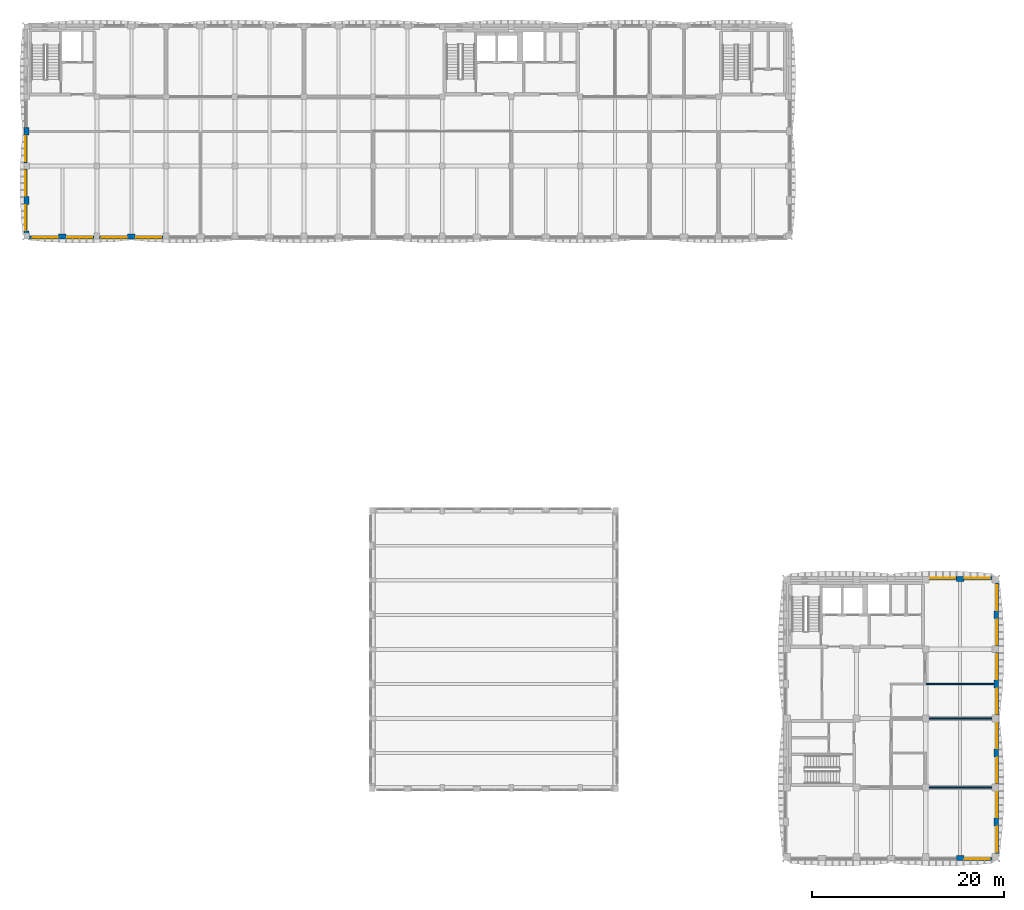
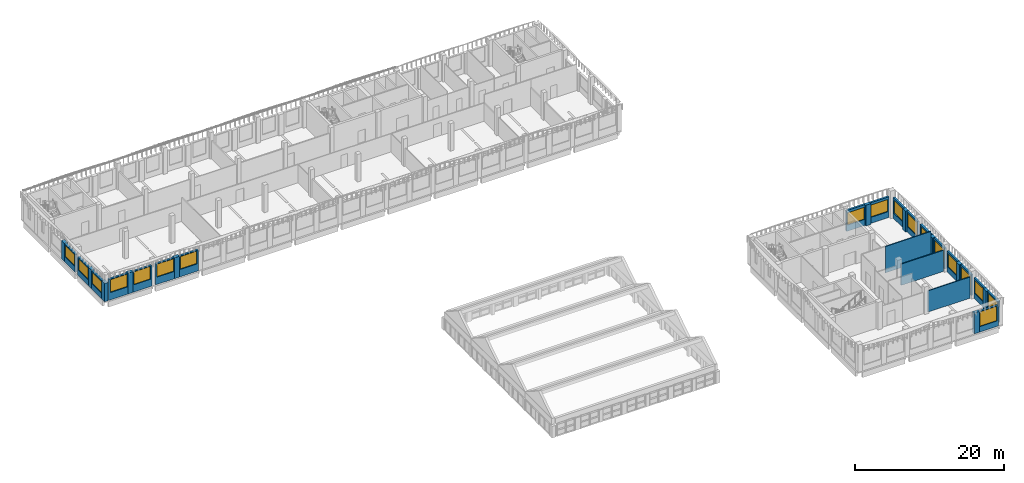
# One storey, part 12 of 38: 32 walls, 18 windows, 18 openings.
"""IFC4 building model written with IfcOpenShell, lengths in metres."""

from ifc_helpers import new_model, si_unit, direction, frame, frame_2d, origin, place, context, subcontext, project, spatial, rectangle, extrude, material, layer, layer_set, type_object, element, fill, save


model = new_model("IFC4")

# Units and contexts
model_context = context("Model", 3, precision=1e-05, world=origin(), true_north=direction((0.0, 1.0)))
body_context = subcontext(model_context, "Body", "Model", "MODEL_VIEW")
ifc_project = project(units=[si_unit("LENGTHUNIT", "METRE"), si_unit("AREAUNIT", "SQUARE_METRE"), si_unit("VOLUMEUNIT", "CUBIC_METRE"), si_unit("PLANEANGLEUNIT", "RADIAN"), si_unit("MASSUNIT", "GRAM", prefix="KILO")], contexts=[model_context])

# Site, building, storey
site_placement = place(None, origin())
site = spatial("IfcSite", under=ifc_project, at=site_placement, CompositionType="ELEMENT")
building_placement = place(site_placement, origin())
building = spatial("IfcBuilding", under=site, at=building_placement, Name="Ussher Court Research Institute", CompositionType="ELEMENT")
storey_placement = place(building_placement, frame((0.0, 0.0, 23.39990234375)))
storey = spatial("IfcBuildingStorey", under=building, at=storey_placement, Name="L05", CompositionType="ELEMENT", Elevation=23.39990234375)

# Wall, opening, window
ifc_material_1 = material(Name="Blockwork with cream render", Category="masonry")
ifc_layer_1 = layer(ifc_material_1, 0.300048828125)
ifc_layer_set_1 = layer_set([ifc_layer_1], Name="Blockwork with cream render")
wall_type_1 = type_object("IfcWallType", Name="External wall 300 cream render", PredefinedType="SOLIDWALL", material=ifc_layer_set_1)
wall_1_placement = place(storey_placement, frame((96.949951171875, 33.050048828125, 0.0), z_axis=(0.0, 0.0, 1.0), x_axis=(1.0, 0.0, 0.0)))
wall_1 = element("IfcWall", 1, at=wall_1_placement, inside=storey, type_object=wall_type_1, Name="External wall EW1 L05", PredefinedType="SOLIDWALL", context=body_context, shape_type="SweptSolid", body=[
    extrude(rectangle(XDim=2.85009765625, YDim=0.300048828125, at=frame_2d((1.425048828125, 0.0))), origin(), (0.0, 0.0, 1.0), 3.400146484375),
])
opening_1_placement = place(wall_1_placement, frame((0.14990234375, 0.0, 1.0)))
opening_1 = element("IfcOpeningElement", 2, at=opening_1_placement, cuts=wall_1, Name="Opening W15", PredefinedType="OPENING", context=body_context, shape_type="SweptSolid", body=[
    extrude(rectangle(XDim=2.60009765625, YDim=2.0, at=frame_2d((1.300048828125, 1.0))), frame((0.0, 0.16015625, 0.0), z_axis=(0.0, -1.0, 0.0), x_axis=(1.0, 0.0, 0.0)), (0.0, 0.0, 1.0), 0.320068359375),
])
ifc_material_2 = material(Name="Bronze anodised aluminium with double glazing", Category="aluminium")
window_type_1 = type_object("IfcWindowType", Name="Service side laboratory window 2600x2000", PartitioningType="DOUBLE_PANEL_VERTICAL", PredefinedType="WINDOW", material=ifc_material_2)
window_1_placement = place(opening_1_placement, origin())
window_1 = element("IfcWindow", 3, at=window_1_placement, inside=storey, type_object=window_type_1, Name="Window W15 L05", OverallHeight=2.0, OverallWidth=2.60009765625, PartitioningType="SINGLE_PANEL", PredefinedType="WINDOW", context=body_context, shape_type="SweptSolid", body=[
    extrude(rectangle(XDim=2.60009765625, YDim=2.0, at=frame_2d((1.300048828125, 1.0))), frame((0.0, 0.030029296875, 0.0), z_axis=(0.0, -1.0, 0.0), x_axis=(1.0, 0.0, 0.0)), (0.0, 0.0, 1.0), 0.06005859375),
])
fill(opening_1, window_1)

wall_2_placement = place(storey_placement, frame((100.60009765625, 33.050048828125, 0.0), z_axis=(0.0, 0.0, 1.0), x_axis=(1.0, 0.0, 0.0)))
wall_2 = element("IfcWall", 4, at=wall_2_placement, inside=storey, type_object=wall_type_1, Name="External wall EW1 L05", PredefinedType="SOLIDWALL", context=body_context, shape_type="SweptSolid", body=[
    extrude(rectangle(XDim=2.89990234375, YDim=0.300048828125, at=frame_2d((1.449951171875, 0.0))), origin(), (0.0, 0.0, 1.0), 3.400146484375),
])
opening_2_placement = place(wall_2_placement, frame((0.10009765625, 0.0, 1.0)))
opening_2 = element("IfcOpeningElement", 5, at=opening_2_placement, cuts=wall_2, Name="Opening W15", PredefinedType="OPENING", context=body_context, shape_type="SweptSolid", body=[
    extrude(rectangle(XDim=2.60009765625, YDim=2.0, at=frame_2d((1.300048828125, 1.0))), frame((0.0, 0.16015625, 0.0), z_axis=(0.0, -1.0, 0.0), x_axis=(1.0, 0.0, 0.0)), (0.0, 0.0, 1.0), 0.320068359375),
])
window_2_placement = place(opening_2_placement, origin())
window_2 = element("IfcWindow", 6, at=window_2_placement, inside=storey, type_object=window_type_1, Name="Window W15 L05", OverallHeight=2.0, OverallWidth=2.60009765625, PartitioningType="SINGLE_PANEL", PredefinedType="WINDOW", context=body_context, shape_type="SweptSolid", body=[
    extrude(rectangle(XDim=2.60009765625, YDim=2.0, at=frame_2d((1.300048828125, 1.0))), frame((0.0, 0.030029296875, 0.0), z_axis=(0.0, -1.0, 0.0), x_axis=(1.0, 0.0, 0.0)), (0.0, 0.0, 1.0), 0.06005859375),
])
fill(opening_2, window_2)

wall_3_placement = place(storey_placement, frame((104.050048828125, 32.5, 0.0), z_axis=(0.0, 0.0, 1.0), x_axis=(0.0, -1.0, 0.0)))
wall_3 = element("IfcWall", 7, at=wall_3_placement, inside=storey, type_object=wall_type_1, Name="External wall EW1 L05", PredefinedType="SOLIDWALL", context=body_context, shape_type="SweptSolid", body=[
    extrude(rectangle(XDim=2.89990234375, YDim=0.300048828125, at=frame_2d((1.449951171875, 0.0))), origin(), (0.0, 0.0, 1.0), 3.400146484375),
])
opening_3_placement = place(wall_3_placement, frame((0.199951171875, 0.0, 0.89990234375)))
opening_3 = element("IfcOpeningElement", 8, at=opening_3_placement, cuts=wall_3, Name="Opening W13", PredefinedType="OPENING", context=body_context, shape_type="SweptSolid", body=[
    extrude(rectangle(XDim=2.60009765625, YDim=2.199951171875, at=frame_2d((1.300048828125, 1.10009765625))), frame((0.0, 0.16015625, 0.0), z_axis=(0.0, -1.0, 0.0), x_axis=(1.0, 0.0, 0.0)), (0.0, 0.0, 1.0), 0.320068359375),
])
ifc_material_3 = material(Name="Bronze anodised aluminium with double glazing", Category="aluminium")
window_type_2 = type_object("IfcWindowType", Name="East laboratory window 2600x2200", PartitioningType="DOUBLE_PANEL_VERTICAL", PredefinedType="WINDOW", material=ifc_material_3)
window_3_placement = place(opening_3_placement, origin())
window_3 = element("IfcWindow", 9, at=window_3_placement, inside=storey, type_object=window_type_2, Name="Window W13 L05", OverallHeight=2.199951171875, OverallWidth=2.60009765625, PartitioningType="SINGLE_PANEL", PredefinedType="WINDOW", context=body_context, shape_type="SweptSolid", body=[
    extrude(rectangle(XDim=2.60009765625, YDim=2.199951171875, at=frame_2d((1.300048828125, 1.10009765625))), frame((0.0, 0.030029296875, 0.0), z_axis=(0.0, -1.0, 0.0), x_axis=(1.0, 0.0, 0.0)), (0.0, 0.0, 1.0), 0.06005859375),
])
fill(opening_3, window_3)

wall_4_placement = place(storey_placement, frame((104.050048828125, 28.800048828125, 0.0), z_axis=(0.0, 0.0, 1.0), x_axis=(0.0, -1.0, 0.0)))
wall_4 = element("IfcWall", 10, at=wall_4_placement, inside=storey, type_object=wall_type_1, Name="External wall EW1 L05", PredefinedType="SOLIDWALL", context=body_context, shape_type="SweptSolid", body=[
    extrude(rectangle(XDim=2.85009765625, YDim=0.300048828125, at=frame_2d((1.425048828125, 0.0))), origin(), (0.0, 0.0, 1.0), 3.400146484375),
])
opening_4_placement = place(wall_4_placement, frame((0.10009765625, 0.0, 0.89990234375)))
opening_4 = element("IfcOpeningElement", 11, at=opening_4_placement, cuts=wall_4, Name="Opening W13", PredefinedType="OPENING", context=body_context, shape_type="SweptSolid", body=[
    extrude(rectangle(XDim=2.60009765625, YDim=2.199951171875, at=frame_2d((1.300048828125, 1.10009765625))), frame((0.0, 0.16015625, 0.0), z_axis=(0.0, -1.0, 0.0), x_axis=(1.0, 0.0, 0.0)), (0.0, 0.0, 1.0), 0.320068359375),
])
window_4_placement = place(opening_4_placement, origin())
window_4 = element("IfcWindow", 12, at=window_4_placement, inside=storey, type_object=window_type_2, Name="Window W13 L05", OverallHeight=2.199951171875, OverallWidth=2.60009765625, PartitioningType="SINGLE_PANEL", PredefinedType="WINDOW", context=body_context, shape_type="SweptSolid", body=[
    extrude(rectangle(XDim=2.60009765625, YDim=2.199951171875, at=frame_2d((1.300048828125, 1.10009765625))), frame((0.0, 0.030029296875, 0.0), z_axis=(0.0, -1.0, 0.0), x_axis=(1.0, 0.0, 0.0)), (0.0, 0.0, 1.0), 0.06005859375),
])
fill(opening_4, window_4)

wall_5_placement = place(storey_placement, frame((104.050048828125, 25.25, 0.0), z_axis=(0.0, 0.0, 1.0), x_axis=(0.0, -1.0, 0.0)))
wall_5 = element("IfcWall", 13, at=wall_5_placement, inside=storey, type_object=wall_type_1, Name="External wall EW1 L05", PredefinedType="SOLIDWALL", context=body_context, shape_type="SweptSolid", body=[
    extrude(rectangle(XDim=2.85009765625, YDim=0.300048828125, at=frame_2d((1.425048828125, 0.0))), origin(), (0.0, 0.0, 1.0), 3.400146484375),
])
opening_5_placement = place(wall_5_placement, frame((0.14990234375, 0.0, 0.89990234375)))
opening_5 = element("IfcOpeningElement", 14, at=opening_5_placement, cuts=wall_5, Name="Opening W13", PredefinedType="OPENING", context=body_context, shape_type="SweptSolid", body=[
    extrude(rectangle(XDim=2.60009765625, YDim=2.199951171875, at=frame_2d((1.300048828125, 1.10009765625))), frame((0.0, 0.16015625, 0.0), z_axis=(0.0, -1.0, 0.0), x_axis=(1.0, 0.0, 0.0)), (0.0, 0.0, 1.0), 0.320068359375),
])
window_5_placement = place(opening_5_placement, origin())
window_5 = element("IfcWindow", 15, at=window_5_placement, inside=storey, type_object=window_type_2, Name="Window W13 L05", OverallHeight=2.199951171875, OverallWidth=2.60009765625, PartitioningType="SINGLE_PANEL", PredefinedType="WINDOW", context=body_context, shape_type="SweptSolid", body=[
    extrude(rectangle(XDim=2.60009765625, YDim=2.199951171875, at=frame_2d((1.300048828125, 1.10009765625))), frame((0.0, 0.030029296875, 0.0), z_axis=(0.0, -1.0, 0.0), x_axis=(1.0, 0.0, 0.0)), (0.0, 0.0, 1.0), 0.06005859375),
])
fill(opening_5, window_5)

wall_6_placement = place(storey_placement, frame((104.050048828125, 21.60009765625, 0.0), z_axis=(0.0, 0.0, 1.0), x_axis=(0.0, -1.0, 0.0)))
wall_6 = element("IfcWall", 16, at=wall_6_placement, inside=storey, type_object=wall_type_1, Name="External wall EW1 L05", PredefinedType="SOLIDWALL", context=body_context, shape_type="SweptSolid", body=[
    extrude(rectangle(XDim=2.85009765625, YDim=0.300048828125, at=frame_2d((1.425048828125, 0.0))), origin(), (0.0, 0.0, 1.0), 3.400146484375),
])
opening_6_placement = place(wall_6_placement, frame((0.10009765625, 0.0, 0.89990234375)))
opening_6 = element("IfcOpeningElement", 17, at=opening_6_placement, cuts=wall_6, Name="Opening W13", PredefinedType="OPENING", context=body_context, shape_type="SweptSolid", body=[
    extrude(rectangle(XDim=2.60009765625, YDim=2.199951171875, at=frame_2d((1.300048828125, 1.10009765625))), frame((0.0, 0.16015625, 0.0), z_axis=(0.0, -1.0, 0.0), x_axis=(1.0, 0.0, 0.0)), (0.0, 0.0, 1.0), 0.320068359375),
])
window_6_placement = place(opening_6_placement, origin())
window_6 = element("IfcWindow", 18, at=window_6_placement, inside=storey, type_object=window_type_2, Name="Window W13 L05", OverallHeight=2.199951171875, OverallWidth=2.60009765625, PartitioningType="SINGLE_PANEL", PredefinedType="WINDOW", context=body_context, shape_type="SweptSolid", body=[
    extrude(rectangle(XDim=2.60009765625, YDim=2.199951171875, at=frame_2d((1.300048828125, 1.10009765625))), frame((0.0, 0.030029296875, 0.0), z_axis=(0.0, -1.0, 0.0), x_axis=(1.0, 0.0, 0.0)), (0.0, 0.0, 1.0), 0.06005859375),
])
fill(opening_6, window_6)

wall_7_placement = place(storey_placement, frame((104.050048828125, 18.050048828125, 0.0), z_axis=(0.0, 0.0, 1.0), x_axis=(0.0, -1.0, 0.0)))
wall_7 = element("IfcWall", 19, at=wall_7_placement, inside=storey, type_object=wall_type_1, Name="External wall EW1 L05", PredefinedType="SOLIDWALL", context=body_context, shape_type="SweptSolid", body=[
    extrude(rectangle(XDim=2.85009765625, YDim=0.300048828125, at=frame_2d((1.425048828125, 0.0))), origin(), (0.0, 0.0, 1.0), 3.400146484375),
])
opening_7_placement = place(wall_7_placement, frame((0.14990234375, 0.0, 0.89990234375)))
opening_7 = element("IfcOpeningElement", 20, at=opening_7_placement, cuts=wall_7, Name="Opening W13", PredefinedType="OPENING", context=body_context, shape_type="SweptSolid", body=[
    extrude(rectangle(XDim=2.60009765625, YDim=2.199951171875, at=frame_2d((1.300048828125, 1.10009765625))), frame((0.0, 0.16015625, 0.0), z_axis=(0.0, -1.0, 0.0), x_axis=(1.0, 0.0, 0.0)), (0.0, 0.0, 1.0), 0.320068359375),
])
window_7_placement = place(opening_7_placement, origin())
window_7 = element("IfcWindow", 21, at=window_7_placement, inside=storey, type_object=window_type_2, Name="Window W13 L05", OverallHeight=2.199951171875, OverallWidth=2.60009765625, PartitioningType="SINGLE_PANEL", PredefinedType="WINDOW", context=body_context, shape_type="SweptSolid", body=[
    extrude(rectangle(XDim=2.60009765625, YDim=2.199951171875, at=frame_2d((1.300048828125, 1.10009765625))), frame((0.0, 0.030029296875, 0.0), z_axis=(0.0, -1.0, 0.0), x_axis=(1.0, 0.0, 0.0)), (0.0, 0.0, 1.0), 0.06005859375),
])
fill(opening_7, window_7)

wall_8_placement = place(storey_placement, frame((104.050048828125, 14.39990234375, 0.0), z_axis=(0.0, 0.0, 1.0), x_axis=(0.0, -1.0, 0.0)))
wall_8 = element("IfcWall", 22, at=wall_8_placement, inside=storey, type_object=wall_type_1, Name="External wall EW1 L05", PredefinedType="SOLIDWALL", context=body_context, shape_type="SweptSolid", body=[
    extrude(rectangle(XDim=2.849853515625, YDim=0.300048828125, at=frame_2d((1.4248046875, 0.0))), origin(), (0.0, 0.0, 1.0), 3.400146484375),
])
opening_8_placement = place(wall_8_placement, frame((0.10009765625, 0.0, 0.89990234375)))
opening_8 = element("IfcOpeningElement", 23, at=opening_8_placement, cuts=wall_8, Name="Opening W13", PredefinedType="OPENING", context=body_context, shape_type="SweptSolid", body=[
    extrude(rectangle(XDim=2.60009765625, YDim=2.199951171875, at=frame_2d((1.300048828125, 1.10009765625))), frame((0.0, 0.16015625, 0.0), z_axis=(0.0, -1.0, 0.0), x_axis=(1.0, 0.0, 0.0)), (0.0, 0.0, 1.0), 0.320068359375),
])
window_8_placement = place(opening_8_placement, origin())
window_8 = element("IfcWindow", 24, at=window_8_placement, inside=storey, type_object=window_type_2, Name="Window W13 L05", OverallHeight=2.199951171875, OverallWidth=2.60009765625, PartitioningType="SINGLE_PANEL", PredefinedType="WINDOW", context=body_context, shape_type="SweptSolid", body=[
    extrude(rectangle(XDim=2.60009765625, YDim=2.199951171875, at=frame_2d((1.300048828125, 1.10009765625))), frame((0.0, 0.030029296875, 0.0), z_axis=(0.0, -1.0, 0.0), x_axis=(1.0, 0.0, 0.0)), (0.0, 0.0, 1.0), 0.06005859375),
])
fill(opening_8, window_8)

wall_9_placement = place(storey_placement, frame((104.050048828125, 10.85009765625, 0.0), z_axis=(0.0, 0.0, 1.0), x_axis=(0.0, -1.0, 0.0)))
wall_9 = element("IfcWall", 25, at=wall_9_placement, inside=storey, type_object=wall_type_1, Name="External wall EW1 L05", PredefinedType="SOLIDWALL", context=body_context, shape_type="SweptSolid", body=[
    extrude(rectangle(XDim=2.85009765625, YDim=0.300048828125, at=frame_2d((1.425048828125, 0.0))), origin(), (0.0, 0.0, 1.0), 3.400146484375),
])
opening_9_placement = place(wall_9_placement, frame((0.14990234375, 0.0, 0.89990234375)))
opening_9 = element("IfcOpeningElement", 26, at=opening_9_placement, cuts=wall_9, Name="Opening W13", PredefinedType="OPENING", context=body_context, shape_type="SweptSolid", body=[
    extrude(rectangle(XDim=2.60009765625, YDim=2.199951171875, at=frame_2d((1.300048828125, 1.10009765625))), frame((0.0, 0.16015625, 0.0), z_axis=(0.0, -1.0, 0.0), x_axis=(1.0, 0.0, 0.0)), (0.0, 0.0, 1.0), 0.320068359375),
])
window_9_placement = place(opening_9_placement, origin())
window_9 = element("IfcWindow", 27, at=window_9_placement, inside=storey, type_object=window_type_2, Name="Window W13 L05", OverallHeight=2.199951171875, OverallWidth=2.60009765625, PartitioningType="SINGLE_PANEL", PredefinedType="WINDOW", context=body_context, shape_type="SweptSolid", body=[
    extrude(rectangle(XDim=2.60009765625, YDim=2.199951171875, at=frame_2d((1.300048828125, 1.10009765625))), frame((0.0, 0.030029296875, 0.0), z_axis=(0.0, -1.0, 0.0), x_axis=(1.0, 0.0, 0.0)), (0.0, 0.0, 1.0), 0.06005859375),
])
fill(opening_9, window_9)

wall_10_placement = place(storey_placement, frame((104.050048828125, 7.199951171875, 0.0), z_axis=(0.0, 0.0, 1.0), x_axis=(0.0, -1.0, 0.0)))
wall_10 = element("IfcWall", 28, at=wall_10_placement, inside=storey, type_object=wall_type_1, Name="External wall EW1 L05", PredefinedType="SOLIDWALL", context=body_context, shape_type="SweptSolid", body=[
    extrude(rectangle(XDim=2.89990234375, YDim=0.300048828125, at=frame_2d((1.449951171875, 0.0))), origin(), (0.0, 0.0, 1.0), 3.400146484375),
])
opening_10_placement = place(wall_10_placement, frame((0.10009765625, 0.0, 0.89990234375)))
opening_10 = element("IfcOpeningElement", 29, at=opening_10_placement, cuts=wall_10, Name="Opening W13", PredefinedType="OPENING", context=body_context, shape_type="SweptSolid", body=[
    extrude(rectangle(XDim=2.60009765625, YDim=2.199951171875, at=frame_2d((1.300048828125, 1.10009765625))), frame((0.0, 0.16015625, 0.0), z_axis=(0.0, -1.0, 0.0), x_axis=(1.0, 0.0, 0.0)), (0.0, 0.0, 1.0), 0.320068359375),
])
window_10_placement = place(opening_10_placement, origin())
window_10 = element("IfcWindow", 30, at=window_10_placement, inside=storey, type_object=window_type_2, Name="Window W13 L05", OverallHeight=2.199951171875, OverallWidth=2.60009765625, PartitioningType="SINGLE_PANEL", PredefinedType="WINDOW", context=body_context, shape_type="SweptSolid", body=[
    extrude(rectangle(XDim=2.60009765625, YDim=2.199951171875, at=frame_2d((1.300048828125, 1.10009765625))), frame((0.0, 0.030029296875, 0.0), z_axis=(0.0, -1.0, 0.0), x_axis=(1.0, 0.0, 0.0)), (0.0, 0.0, 1.0), 0.06005859375),
])
fill(opening_10, window_10)

wall_11_placement = place(storey_placement, frame((103.5, 3.75, 0.0), z_axis=(0.0, 0.0, 1.0), x_axis=(-1.0, 0.0, 0.0)))
wall_11 = element("IfcWall", 31, at=wall_11_placement, inside=storey, type_object=wall_type_1, Name="External wall EW1 L05", PredefinedType="SOLIDWALL", context=body_context, shape_type="SweptSolid", body=[
    extrude(rectangle(XDim=2.89990234375, YDim=0.300048828125, at=frame_2d((1.449951171875, 0.0))), origin(), (0.0, 0.0, 1.0), 3.400146484375),
])
opening_11_placement = place(wall_11_placement, frame((0.199951171875, 0.0, 0.89990234375)))
opening_11 = element("IfcOpeningElement", 32, at=opening_11_placement, cuts=wall_11, Name="Opening W01", PredefinedType="OPENING", context=body_context, shape_type="SweptSolid", body=[
    extrude(rectangle(XDim=2.60009765625, YDim=2.39990234375, at=frame_2d((1.300048828125, 1.199951171875))), frame((0.0, 0.16015625, 0.0), z_axis=(0.0, -1.0, 0.0), x_axis=(1.0, 0.0, 0.0)), (0.0, 0.0, 1.0), 0.320068359375),
])
ifc_material_4 = material(Name="Bronze anodised aluminium with double glazing", Category="aluminium")
window_type_3 = type_object("IfcWindowType", Name="Laboratory bay window 2600x2400", PartitioningType="DOUBLE_PANEL_VERTICAL", PredefinedType="WINDOW", material=ifc_material_4)
window_11_placement = place(opening_11_placement, origin())
window_11 = element("IfcWindow", 33, at=window_11_placement, inside=storey, type_object=window_type_3, Name="Window W01 L05", OverallHeight=2.39990234375, OverallWidth=2.60009765625, PartitioningType="SINGLE_PANEL", PredefinedType="WINDOW", context=body_context, shape_type="SweptSolid", body=[
    extrude(rectangle(XDim=2.60009765625, YDim=2.39990234375, at=frame_2d((1.300048828125, 1.199951171875))), frame((0.0, 0.030029296875, 0.0), z_axis=(0.0, -1.0, 0.0), x_axis=(1.0, 0.0, 0.0)), (0.0, 0.0, 1.0), 0.06005859375),
])
fill(opening_11, window_11)

wall_12_placement = place(storey_placement, frame((17.10009765625, 68.550048828125, 0.0), z_axis=(0.0, 0.0, 1.0), x_axis=(-1.0, 0.0, 0.0)))
wall_12 = element("IfcWall", 34, at=wall_12_placement, inside=storey, type_object=wall_type_1, Name="External wall EW1 L05", PredefinedType="SOLIDWALL", context=body_context, shape_type="SweptSolid", body=[
    extrude(rectangle(XDim=2.900146484375, YDim=0.300048828125, at=frame_2d((1.4501953125, 0.0))), origin(), (0.0, 0.0, 1.0), 3.400146484375),
])
opening_12_placement = place(wall_12_placement, frame((0.199951171875, 0.0, 1.199951171875)))
opening_12 = element("IfcOpeningElement", 35, at=opening_12_placement, cuts=wall_12, Name="Opening W08", PredefinedType="OPENING", context=body_context, shape_type="SweptSolid", body=[
    extrude(rectangle(XDim=2.60009765625, YDim=2.10009765625, at=frame_2d((1.300048828125, 1.050048828125))), frame((0.0, 0.16015625, 0.0), z_axis=(0.0, -1.0, 0.0), x_axis=(1.0, 0.0, 0.0)), (0.0, 0.0, 1.0), 0.320068359375),
])
ifc_material_5 = material(Name="Bronze anodised aluminium with double glazing", Category="aluminium")
window_type_4 = type_object("IfcWindowType", Name="Dry laboratory bay window 2600x2100", PartitioningType="DOUBLE_PANEL_VERTICAL", PredefinedType="WINDOW", material=ifc_material_5)
window_12_placement = place(opening_12_placement, origin())
window_12 = element("IfcWindow", 36, at=window_12_placement, inside=storey, type_object=window_type_4, Name="Window W08 L05", OverallHeight=2.10009765625, OverallWidth=2.60009765625, PartitioningType="SINGLE_PANEL", PredefinedType="WINDOW", context=body_context, shape_type="SweptSolid", body=[
    extrude(rectangle(XDim=2.60009765625, YDim=2.10009765625, at=frame_2d((1.300048828125, 1.050048828125))), frame((0.0, 0.030029296875, 0.0), z_axis=(0.0, -1.0, 0.0), x_axis=(1.0, 0.0, 0.0)), (0.0, 0.0, 1.0), 0.06005859375),
])
fill(opening_12, window_12)

wall_13_placement = place(storey_placement, frame((13.39990234375, 68.550048828125, 0.0), z_axis=(0.0, 0.0, 1.0), x_axis=(-1.0, 0.0, 0.0)))
wall_13 = element("IfcWall", 37, at=wall_13_placement, inside=storey, type_object=wall_type_1, Name="External wall EW1 L05", PredefinedType="SOLIDWALL", context=body_context, shape_type="SweptSolid", body=[
    extrude(rectangle(XDim=2.89990234375, YDim=0.300048828125, at=frame_2d((1.449951171875, 0.0))), origin(), (0.0, 0.0, 1.0), 3.400146484375),
])
opening_13_placement = place(wall_13_placement, frame((0.10009765625, 0.0, 1.199951171875)))
opening_13 = element("IfcOpeningElement", 38, at=opening_13_placement, cuts=wall_13, Name="Opening W08", PredefinedType="OPENING", context=body_context, shape_type="SweptSolid", body=[
    extrude(rectangle(XDim=2.60009765625, YDim=2.10009765625, at=frame_2d((1.300048828125, 1.050048828125))), frame((0.0, 0.16015625, 0.0), z_axis=(0.0, -1.0, 0.0), x_axis=(1.0, 0.0, 0.0)), (0.0, 0.0, 1.0), 0.320068359375),
])
window_13_placement = place(opening_13_placement, origin())
window_13 = element("IfcWindow", 39, at=window_13_placement, inside=storey, type_object=window_type_4, Name="Window W08 L05", OverallHeight=2.10009765625, OverallWidth=2.60009765625, PartitioningType="SINGLE_PANEL", PredefinedType="WINDOW", context=body_context, shape_type="SweptSolid", body=[
    extrude(rectangle(XDim=2.60009765625, YDim=2.10009765625, at=frame_2d((1.300048828125, 1.050048828125))), frame((0.0, 0.030029296875, 0.0), z_axis=(0.0, -1.0, 0.0), x_axis=(1.0, 0.0, 0.0)), (0.0, 0.0, 1.0), 0.06005859375),
])
fill(opening_13, window_13)

wall_14_placement = place(storey_placement, frame((9.89990234375, 68.550048828125, 0.0), z_axis=(0.0, 0.0, 1.0), x_axis=(-1.0, 0.0, 0.0)))
wall_14 = element("IfcWall", 40, at=wall_14_placement, inside=storey, type_object=wall_type_1, Name="External wall EW1 L05", PredefinedType="SOLIDWALL", context=body_context, shape_type="SweptSolid", body=[
    extrude(rectangle(XDim=2.89990234375, YDim=0.300048828125, at=frame_2d((1.449951171875, 0.0))), origin(), (0.0, 0.0, 1.0), 3.400146484375),
])
opening_14_placement = place(wall_14_placement, frame((0.199951171875, 0.0, 1.199951171875)))
opening_14 = element("IfcOpeningElement", 41, at=opening_14_placement, cuts=wall_14, Name="Opening W08", PredefinedType="OPENING", context=body_context, shape_type="SweptSolid", body=[
    extrude(rectangle(XDim=2.60009765625, YDim=2.10009765625, at=frame_2d((1.300048828125, 1.050048828125))), frame((0.0, 0.16015625, 0.0), z_axis=(0.0, -1.0, 0.0), x_axis=(1.0, 0.0, 0.0)), (0.0, 0.0, 1.0), 0.320068359375),
])
window_14_placement = place(opening_14_placement, origin())
window_14 = element("IfcWindow", 42, at=window_14_placement, inside=storey, type_object=window_type_4, Name="Window W08 L05", OverallHeight=2.10009765625, OverallWidth=2.60009765625, PartitioningType="SINGLE_PANEL", PredefinedType="WINDOW", context=body_context, shape_type="SweptSolid", body=[
    extrude(rectangle(XDim=2.60009765625, YDim=2.10009765625, at=frame_2d((1.300048828125, 1.050048828125))), frame((0.0, 0.030029296875, 0.0), z_axis=(0.0, -1.0, 0.0), x_axis=(1.0, 0.0, 0.0)), (0.0, 0.0, 1.0), 0.06005859375),
])
fill(opening_14, window_14)

wall_15_placement = place(storey_placement, frame((6.199951171875, 68.550048828125, 0.0), z_axis=(0.0, 0.0, 1.0), x_axis=(-1.0, 0.0, 0.0)))
wall_15 = element("IfcWall", 43, at=wall_15_placement, inside=storey, type_object=wall_type_1, Name="External wall EW1 L05", PredefinedType="SOLIDWALL", context=body_context, shape_type="SweptSolid", body=[
    extrude(rectangle(XDim=3.0, YDim=0.300048828125, at=frame_2d((1.5, 0.0))), origin(), (0.0, 0.0, 1.0), 3.400146484375),
])
opening_15_placement = place(wall_15_placement, frame((0.10009765625, 0.0, 1.199951171875)))
opening_15 = element("IfcOpeningElement", 44, at=opening_15_placement, cuts=wall_15, Name="Opening W08", PredefinedType="OPENING", context=body_context, shape_type="SweptSolid", body=[
    extrude(rectangle(XDim=2.60009765625, YDim=2.10009765625, at=frame_2d((1.300048828125, 1.050048828125))), frame((0.0, 0.16015625, 0.0), z_axis=(0.0, -1.0, 0.0), x_axis=(1.0, 0.0, 0.0)), (0.0, 0.0, 1.0), 0.320068359375),
])
window_15_placement = place(opening_15_placement, origin())
window_15 = element("IfcWindow", 45, at=window_15_placement, inside=storey, type_object=window_type_4, Name="Window W08 L05", OverallHeight=2.10009765625, OverallWidth=2.60009765625, PartitioningType="SINGLE_PANEL", PredefinedType="WINDOW", context=body_context, shape_type="SweptSolid", body=[
    extrude(rectangle(XDim=2.60009765625, YDim=2.10009765625, at=frame_2d((1.300048828125, 1.050048828125))), frame((0.0, 0.030029296875, 0.0), z_axis=(0.0, -1.0, 0.0), x_axis=(1.0, 0.0, 0.0)), (0.0, 0.0, 1.0), 0.06005859375),
])
fill(opening_15, window_15)

wall_16_placement = place(storey_placement, frame((2.75, 69.199951171875, 0.0), z_axis=(0.0, 0.0, 1.0), x_axis=(0.0, 1.0, 0.0)))
wall_16 = element("IfcWall", 46, at=wall_16_placement, inside=storey, type_object=wall_type_1, Name="External wall EW1 L05", PredefinedType="SOLIDWALL", context=body_context, shape_type="SweptSolid", body=[
    extrude(rectangle(XDim=2.800048828125, YDim=0.300048828125, at=frame_2d((1.39990234375, 0.0))), origin(), (0.0, 0.0, 1.0), 3.0),
])
opening_16_placement = place(wall_16_placement, frame((0.10009765625, 0.0, 0.89990234375)))
opening_16 = element("IfcOpeningElement", 47, at=opening_16_placement, cuts=wall_16, Name="Opening W30", PredefinedType="OPENING", context=body_context, shape_type="SweptSolid", body=[
    extrude(rectangle(XDim=2.60009765625, YDim=1.89990234375, at=frame_2d((1.300048828125, 0.949951171875))), frame((0.0, 0.16015625, 0.0), z_axis=(0.0, -1.0, 0.0), x_axis=(1.0, 0.0, 0.0)), (0.0, 0.0, 1.0), 0.320068359375),
])
ifc_material_6 = material(Name="Bronze anodised aluminium with double glazing", Category="aluminium")
window_type_5 = type_object("IfcWindowType", Name="Laboratory bay window 2600x1900", PartitioningType="DOUBLE_PANEL_VERTICAL", PredefinedType="WINDOW", material=ifc_material_6)
window_16_placement = place(opening_16_placement, origin())
window_16 = element("IfcWindow", 48, at=window_16_placement, inside=storey, type_object=window_type_5, Name="Window W30 L05", OverallHeight=1.89990234375, OverallWidth=2.60009765625, PartitioningType="SINGLE_PANEL", PredefinedType="WINDOW", context=body_context, shape_type="SweptSolid", body=[
    extrude(rectangle(XDim=2.60009765625, YDim=1.89990234375, at=frame_2d((1.300048828125, 0.949951171875))), frame((0.0, 0.030029296875, 0.0), z_axis=(0.0, -1.0, 0.0), x_axis=(1.0, 0.0, 0.0)), (0.0, 0.0, 1.0), 0.06005859375),
])
fill(opening_16, window_16)

wall_17_placement = place(storey_placement, frame((2.75, 72.800048828125, 0.0), z_axis=(0.0, 0.0, 1.0), x_axis=(0.0, 1.0, 0.0)))
wall_17 = element("IfcWall", 49, at=wall_17_placement, inside=storey, type_object=wall_type_1, Name="External wall EW1 L05", PredefinedType="SOLIDWALL", context=body_context, shape_type="SweptSolid", body=[
    extrude(rectangle(XDim=2.89990234375, YDim=0.300048828125, at=frame_2d((1.449951171875, 0.0))), origin(), (0.0, 0.0, 1.0), 3.0),
])
opening_17_placement = place(wall_17_placement, frame((0.10009765625, 0.0, 0.89990234375)))
opening_17 = element("IfcOpeningElement", 50, at=opening_17_placement, cuts=wall_17, Name="Opening W30", PredefinedType="OPENING", context=body_context, shape_type="SweptSolid", body=[
    extrude(rectangle(XDim=2.60009765625, YDim=1.89990234375, at=frame_2d((1.300048828125, 0.949951171875))), frame((0.0, 0.16015625, 0.0), z_axis=(0.0, -1.0, 0.0), x_axis=(1.0, 0.0, 0.0)), (0.0, 0.0, 1.0), 0.320068359375),
])
window_17_placement = place(opening_17_placement, origin())
window_17 = element("IfcWindow", 51, at=window_17_placement, inside=storey, type_object=window_type_5, Name="Window W30 L05", OverallHeight=1.89990234375, OverallWidth=2.60009765625, PartitioningType="SINGLE_PANEL", PredefinedType="WINDOW", context=body_context, shape_type="SweptSolid", body=[
    extrude(rectangle(XDim=2.60009765625, YDim=1.89990234375, at=frame_2d((1.300048828125, 0.949951171875))), frame((0.0, 0.030029296875, 0.0), z_axis=(0.0, -1.0, 0.0), x_axis=(1.0, 0.0, 0.0)), (0.0, 0.0, 1.0), 0.06005859375),
])
fill(opening_17, window_17)

wall_18_placement = place(storey_placement, frame((2.75, 76.300048828125, 0.0), z_axis=(0.0, 0.0, 1.0), x_axis=(0.0, 1.0, 0.0)))
wall_18 = element("IfcWall", 52, at=wall_18_placement, inside=storey, type_object=wall_type_1, Name="External wall EW1 L05", PredefinedType="SOLIDWALL", context=body_context, shape_type="SweptSolid", body=[
    extrude(rectangle(XDim=2.89990234375, YDim=0.300048828125, at=frame_2d((1.449951171875, 0.0))), origin(), (0.0, 0.0, 1.0), 3.0),
])
opening_18_placement = place(wall_18_placement, frame((0.199951171875, 0.0, 0.89990234375)))
opening_18 = element("IfcOpeningElement", 53, at=opening_18_placement, cuts=wall_18, Name="Opening W30", PredefinedType="OPENING", context=body_context, shape_type="SweptSolid", body=[
    extrude(rectangle(XDim=2.60009765625, YDim=1.89990234375, at=frame_2d((1.300048828125, 0.949951171875))), frame((0.0, 0.16015625, 0.0), z_axis=(0.0, -1.0, 0.0), x_axis=(1.0, 0.0, 0.0)), (0.0, 0.0, 1.0), 0.320068359375),
])
window_18_placement = place(opening_18_placement, origin())
window_18 = element("IfcWindow", 54, at=window_18_placement, inside=storey, type_object=window_type_5, Name="Window W30 L05", OverallHeight=1.89990234375, OverallWidth=2.60009765625, PartitioningType="SINGLE_PANEL", PredefinedType="WINDOW", context=body_context, shape_type="SweptSolid", body=[
    extrude(rectangle(XDim=2.60009765625, YDim=1.89990234375, at=frame_2d((1.300048828125, 0.949951171875))), frame((0.0, 0.030029296875, 0.0), z_axis=(0.0, -1.0, 0.0), x_axis=(1.0, 0.0, 0.0)), (0.0, 0.0, 1.0), 0.06005859375),
])
fill(opening_18, window_18)

# Walls
ifc_material_7 = material(Name="Plastered blockwork", Category="masonry")
ifc_layer_2 = layer(ifc_material_7, 0.139892578125)
ifc_layer_set_2 = layer_set([ifc_layer_2], Name="Plastered blockwork")
wall_type_2 = type_object("IfcWallType", Name="Laboratory blockwork partition 140", PredefinedType="PARTITIONING", material=ifc_layer_set_2)
for number, where, z_axis, x_axis, name in (
    (55, (96.949951171875, 11.199951171875, 0.0), (0.0, 0.0, 1.0), (1.0, 0.0, 0.0), "Partition"),
    (56, (96.949951171875, 18.39990234375, 0.0), (0.0, 0.0, 1.0), (1.0, 0.0, 0.0), "Partition"),
):
    element("IfcWall", number, at=place(storey_placement, frame(where, z_axis=z_axis, x_axis=x_axis)), inside=storey, type_object=wall_type_2, Name=name, PredefinedType="PARTITIONING", context=body_context, shape_type="SweptSolid", body=[
        extrude(rectangle(XDim=6.550048828125, YDim=0.139892578125, at=frame_2d((3.27490234375, 0.0))), origin(), (0.0, 0.0, 1.0), 3.47021484375),
    ])
wall_19_placement = place(storey_placement, frame((96.60009765625, 22.0, 0.0), z_axis=(0.0, 0.0, 1.0), x_axis=(1.0, 0.0, 0.0)))
element("IfcWall", 57, at=wall_19_placement, inside=storey, type_object=wall_type_2, Name="Partition", PredefinedType="PARTITIONING", context=body_context, shape_type="SweptSolid", body=[
    extrude(rectangle(XDim=7.099853515625, YDim=0.139892578125, at=frame_2d((3.5498046875, 0.0))), origin(), (0.0, 0.0, 1.0), 4.300048828125),
])
ifc_material_8 = material(Name="Blockwork with cream render", Category="masonry")
ifc_layer_3 = layer(ifc_material_8, 0.5)
ifc_layer_set_3 = layer_set([ifc_layer_3], Name="Blockwork with cream render")
wall_type_3 = type_object("IfcWallType", Name="Pier 800x500 cream render", PredefinedType="SOLIDWALL", material=ifc_layer_set_3)
for number, where, z_axis, x_axis, name in (
    (58, (99.800048828125, 32.949951171875, 0.0), (0.0, 0.0, 1.0), (1.0, 0.0, 0.0), "Pier PR1 L05"),
    (59, (103.949951171875, 29.60009765625, 0.0), (0.0, 0.0, 1.0), (0.0, -1.0, 0.0), "Pier PR1 L05"),
):
    element("IfcWall", number, at=place(storey_placement, frame(where, z_axis=z_axis, x_axis=x_axis)), inside=storey, type_object=wall_type_3, Name=name, PredefinedType="SOLIDWALL", context=body_context, shape_type="SweptSolid", body=[
        extrude(rectangle(XDim=0.800048828125, YDim=0.5, at=frame_2d((0.39990234375, 0.0))), origin(), (0.0, 0.0, 1.0), 3.400146484375),
    ])
wall_20_placement = place(storey_placement, frame((103.949951171875, 22.39990234375, 0.0), z_axis=(0.0, 0.0, 1.0), x_axis=(0.0, -1.0, 0.0)))
element("IfcWall", 60, at=wall_20_placement, inside=storey, type_object=wall_type_3, Name="Pier PR1 L05", PredefinedType="SOLIDWALL", context=body_context, shape_type="SweptSolid", body=[
    extrude(rectangle(XDim=0.7998046875, YDim=0.5, at=frame_2d((0.39990234375, 0.0))), origin(), (0.0, 0.0, 1.0), 3.400146484375),
])
for number, where, z_axis, x_axis, name in (
    (61, (103.949951171875, 15.199951171875, 0.0), (0.0, 0.0, 1.0), (0.0, -1.0, 0.0), "Pier PR1 L05"),
    (62, (103.949951171875, 8.0, 0.0), (0.0, 0.0, 1.0), (0.0, -1.0, 0.0), "Pier PR1 L05"),
    (63, (100.60009765625, 3.85009765625, 0.0), (0.0, 0.0, 1.0), (-1.0, 0.0, 0.0), "Pier PR1 L05"),
    (64, (14.199951171875, 68.64990234375, 0.0), (0.0, 0.0, 1.0), (-1.0, 0.0, 0.0), "Pier PR1 L05"),
    (65, (7.0, 68.64990234375, 0.0), (0.0, 0.0, 1.0), (-1.0, 0.0, 0.0), "Pier PR1 L05"),
):
    element("IfcWall", number, at=place(storey_placement, frame(where, z_axis=z_axis, x_axis=x_axis)), inside=storey, type_object=wall_type_3, Name=name, PredefinedType="SOLIDWALL", context=body_context, shape_type="SweptSolid", body=[
        extrude(rectangle(XDim=0.800048828125, YDim=0.5, at=frame_2d((0.39990234375, 0.0))), origin(), (0.0, 0.0, 1.0), 3.400146484375),
    ])
for number, where, z_axis, x_axis, name in (
    (66, (2.85009765625, 68.39990234375, 0.0), (0.0, 0.0, 1.0), (0.0, 1.0, 0.0), "Pier PR1 L05"),
    (67, (2.85009765625, 72.0, 0.0), (0.0, 0.0, 1.0), (0.0, 1.0, 0.0), "Pier PR1 L05"),
    (68, (2.85009765625, 79.199951171875, 0.0), (0.0, 0.0, 1.0), (0.0, 1.0, 0.0), "Pier PR1 L05"),
):
    element("IfcWall", number, at=place(storey_placement, frame(where, z_axis=z_axis, x_axis=x_axis)), inside=storey, type_object=wall_type_3, Name=name, PredefinedType="SOLIDWALL", context=body_context, shape_type="SweptSolid", body=[
        extrude(rectangle(XDim=0.800048828125, YDim=0.5, at=frame_2d((0.39990234375, 0.0))), origin(), (0.0, 0.0, 1.0), 3.0),
    ])

save(model, "model.ifc")
